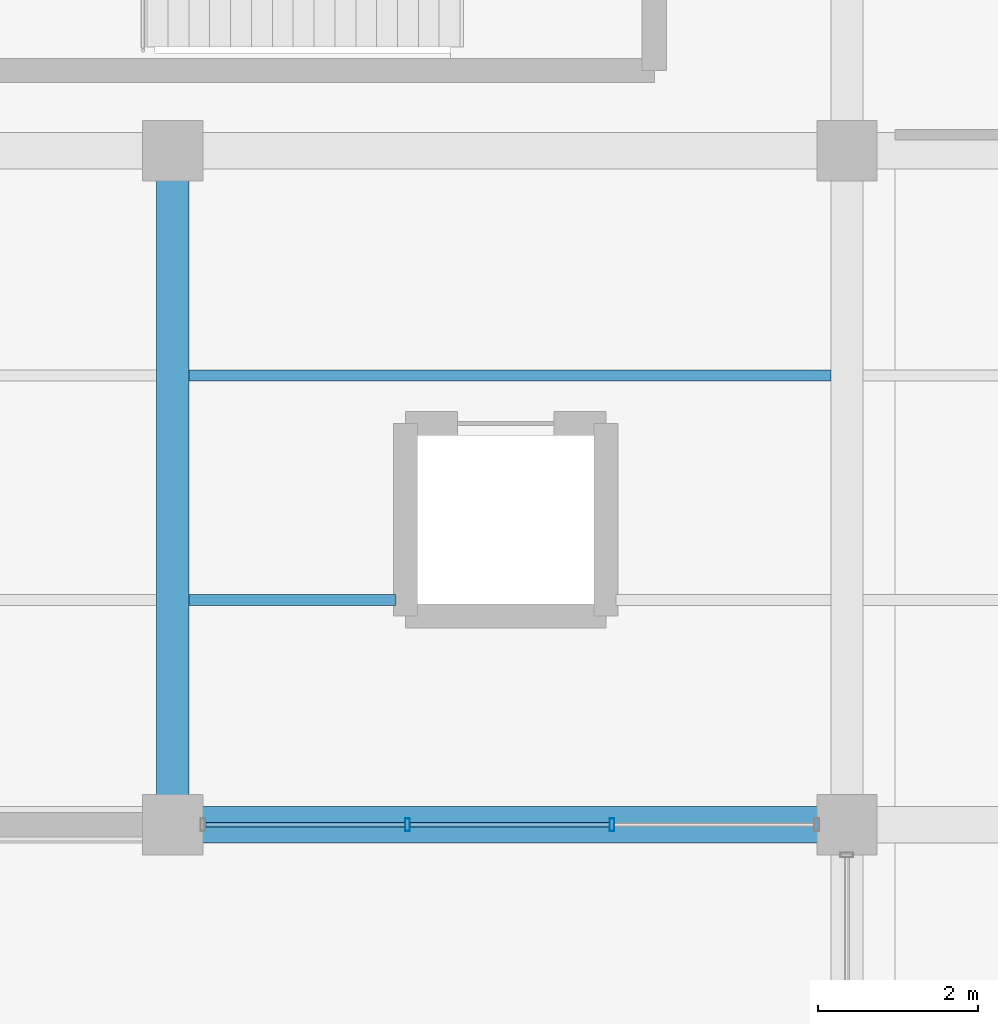
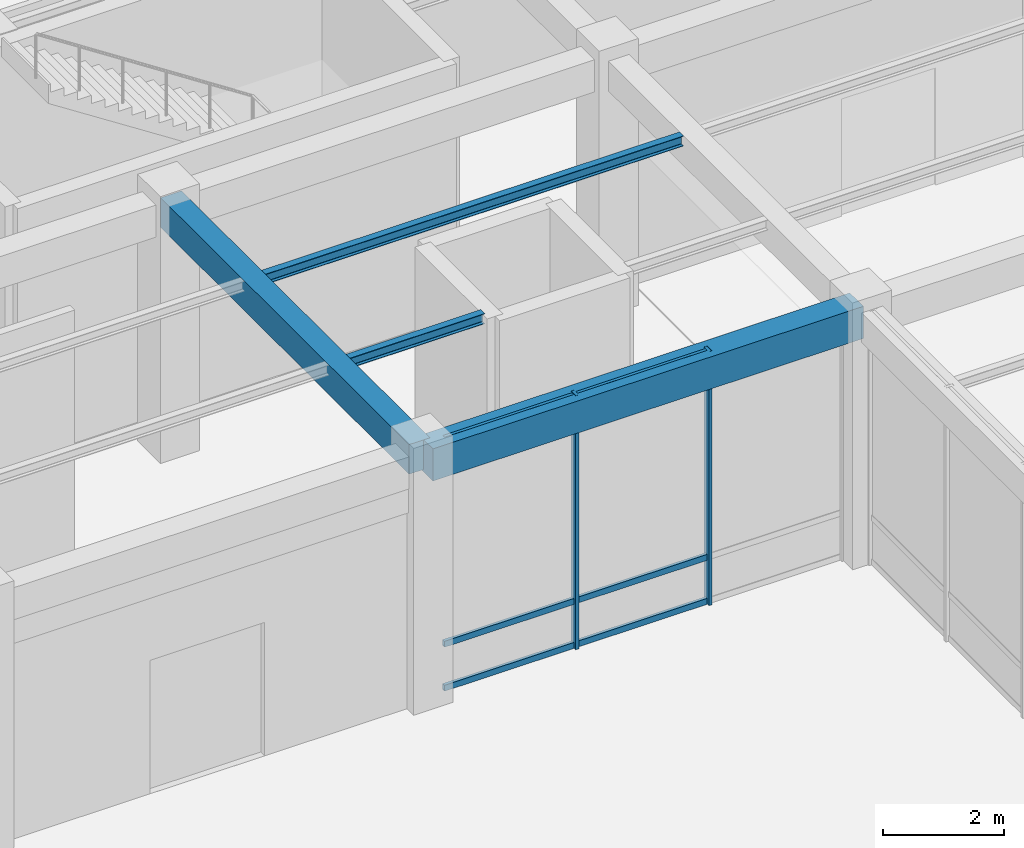
# One storey, part 20 of 157: 8 members, 4 beams, 1 element without a shape of its own.
"""IFC4 building model written with IfcOpenShell, lengths in metres."""

from ifc_helpers import new_model, si_unit, direction, frame, origin, origin_2d, place, context, subcontext, project, spatial, rectangle, hollow_rectangle, i_section, extrude, material, material_profile, profile_set, type_object, element, aggregate, save


model = new_model("IFC4")

# Units and contexts
model_context = context("Model", 3, precision=1e-05, world=origin(), true_north=direction((0.0, 1.0)))
body_context = subcontext(model_context, "Body", "Model", "MODEL_VIEW")
ifc_project = project(units=[si_unit("LENGTHUNIT", "METRE"), si_unit("AREAUNIT", "SQUARE_METRE"), si_unit("VOLUMEUNIT", "CUBIC_METRE"), si_unit("PLANEANGLEUNIT", "RADIAN"), si_unit("MASSUNIT", "GRAM", prefix="KILO"), si_unit("THERMODYNAMICTEMPERATUREUNIT", "KELVIN"), si_unit("POWERUNIT", "WATT")], contexts=[model_context])

# Site, building, storey
site_placement = place(None, origin())
site = spatial("IfcSite", under=ifc_project, at=site_placement, CompositionType="ELEMENT")
building_placement = place(site_placement, origin())
building = spatial("IfcBuilding", under=site, at=building_placement, Name="Darbajah Civic Hall", CompositionType="ELEMENT")
storey_placement = place(building_placement, origin())
storey = spatial("IfcBuildingStorey", under=building, at=storey_placement, Name="L00", CompositionType="ELEMENT", Elevation=0.0)

# Curtain wall, members
ifc_material_1 = material(Name="Anodised Bronze Aluminium and Low-E Glazing", Category="aluminium")
curtain_wall_type = type_object("IfcCurtainWallType", Name="Unitised Curtain Wall CW-98 7600x5150", PredefinedType="USERDEFINED", material=ifc_material_1)
curtain_wall_placement = place(storey_placement, origin())
curtain_wall = element("IfcCurtainWall", 1, at=curtain_wall_placement, inside=storey, type_object=curtain_wall_type, Name="L00 unitised curtain wall CW-V5-L00-S2-B3", ObjectType="UNITISED CURTAIN WALL", PredefinedType="USERDEFINED")
ifc_material_2 = material(Name="Anodised Bronze Aluminium", Category="aluminium")
ifc_material_profile_1 = material_profile(ifc_material_2, hollow_rectangle(XDim=0.06005859375, YDim=0.159912109375, WallThickness=0.00341796875, at=origin_2d()), Name="ALU MULLION 60x160")
ifc_profile_set_1 = profile_set([ifc_material_profile_1], Name="Anodised Bronze Aluminium")
member_type_1 = type_object("IfcMemberType", Name="ALU MULLION 60x160", PredefinedType="MULLION", material=ifc_profile_set_1)
member_1_placement = place(storey_placement, frame((44.92578125, 16.800048828125, 0.0), z_axis=(0.0, 0.0, 1.0), x_axis=(1.0, 0.0, 0.0)))
member_1 = element("IfcMember", 2, at=member_1_placement, type_object=member_type_1, Name="CW-V5-L00-S2-B3 mullion 2", PredefinedType="MULLION", context=body_context, shape_type="SweptSolid", body=[
    extrude(hollow_rectangle(XDim=0.06005859375, YDim=0.159912109375, WallThickness=0.00341796875, at=origin_2d()), origin(), (0.0, 0.0, 1.0), 5.139892578125),
])
member_2_placement = place(storey_placement, frame((47.474365234375, 16.800048828125, 0.0), z_axis=(0.0, 0.0, 1.0), x_axis=(1.0, 0.0, 0.0)))
member_2 = element("IfcMember", 3, at=member_2_placement, type_object=member_type_1, Name="CW-V5-L00-S2-B3 mullion 3", PredefinedType="MULLION", context=body_context, shape_type="SweptSolid", body=[
    extrude(hollow_rectangle(XDim=0.06005859375, YDim=0.159912109375, WallThickness=0.00341796875, at=origin_2d()), origin(), (0.0, 0.0, 1.0), 5.139892578125),
])
ifc_material_profile_2 = material_profile(ifc_material_2, hollow_rectangle(XDim=0.06005859375, YDim=0.1201171875, WallThickness=0.003173828125, at=origin_2d()), Name="ALU TRANSOM 60x120")
ifc_profile_set_2 = profile_set([ifc_material_profile_2], Name="Anodised Bronze Aluminium")
member_type_2 = type_object("IfcMemberType", Name="ALU TRANSOM 60x120", PredefinedType="USERDEFINED", material=ifc_profile_set_2)
member_3_placement = place(storey_placement, frame((42.412109375, 16.800048828125, 0.06005859375), z_axis=(1.0, 0.0, 0.0), x_axis=(0.0, 1.0, 0.0)))
member_3 = element("IfcMember", 4, at=member_3_placement, type_object=member_type_2, Name="CW-V5-L00-S2-B3 transom 1.1", ObjectType="TRANSOM", PredefinedType="USERDEFINED", context=body_context, shape_type="SweptSolid", body=[
    extrude(hollow_rectangle(XDim=0.06005859375, YDim=0.1201171875, WallThickness=0.003173828125, at=origin_2d()), origin(), (0.0, 0.0, 1.0), 2.478515625),
])
member_4_placement = place(storey_placement, frame((42.412109375, 16.800048828125, 0.949951171875), z_axis=(1.0, 0.0, 0.0), x_axis=(0.0, 1.0, 0.0)))
member_4 = element("IfcMember", 5, at=member_4_placement, type_object=member_type_2, Name="CW-V5-L00-S2-B3 transom 1.2", ObjectType="TRANSOM", PredefinedType="USERDEFINED", context=body_context, shape_type="SweptSolid", body=[
    extrude(hollow_rectangle(XDim=0.06005859375, YDim=0.1201171875, WallThickness=0.003173828125, at=origin_2d()), origin(), (0.0, 0.0, 1.0), 2.478515625),
])
member_5_placement = place(storey_placement, frame((42.412109375, 16.800048828125, 5.080078125), z_axis=(1.0, 0.0, 0.0), x_axis=(0.0, 1.0, 0.0)))
member_5 = element("IfcMember", 6, at=member_5_placement, type_object=member_type_2, Name="CW-V5-L00-S2-B3 transom 1.3", ObjectType="TRANSOM", PredefinedType="USERDEFINED", context=body_context, shape_type="SweptSolid", body=[
    extrude(hollow_rectangle(XDim=0.06005859375, YDim=0.1201171875, WallThickness=0.003173828125, at=origin_2d()), origin(), (0.0, 0.0, 1.0), 2.478515625),
])
member_6_placement = place(storey_placement, frame((44.960693359375, 16.800048828125, 0.06005859375), z_axis=(1.0, 0.0, 0.0), x_axis=(0.0, 1.0, 0.0)))
member_6 = element("IfcMember", 7, at=member_6_placement, type_object=member_type_2, Name="CW-V5-L00-S2-B3 transom 2.1", ObjectType="TRANSOM", PredefinedType="USERDEFINED", context=body_context, shape_type="SweptSolid", body=[
    extrude(hollow_rectangle(XDim=0.06005859375, YDim=0.1201171875, WallThickness=0.003173828125, at=origin_2d()), origin(), (0.0, 0.0, 1.0), 2.478515625),
])
member_7_placement = place(storey_placement, frame((44.960693359375, 16.800048828125, 0.949951171875), z_axis=(1.0, 0.0, 0.0), x_axis=(0.0, 1.0, 0.0)))
member_7 = element("IfcMember", 8, at=member_7_placement, type_object=member_type_2, Name="CW-V5-L00-S2-B3 transom 2.2", ObjectType="TRANSOM", PredefinedType="USERDEFINED", context=body_context, shape_type="SweptSolid", body=[
    extrude(hollow_rectangle(XDim=0.06005859375, YDim=0.1201171875, WallThickness=0.003173828125, at=origin_2d()), origin(), (0.0, 0.0, 1.0), 2.478515625),
])
member_8_placement = place(storey_placement, frame((44.960693359375, 16.800048828125, 5.080078125), z_axis=(1.0, 0.0, 0.0), x_axis=(0.0, 1.0, 0.0)))
member_8 = element("IfcMember", 9, at=member_8_placement, type_object=member_type_2, Name="CW-V5-L00-S2-B3 transom 2.3", ObjectType="TRANSOM", PredefinedType="USERDEFINED", context=body_context, shape_type="SweptSolid", body=[
    extrude(hollow_rectangle(XDim=0.06005859375, YDim=0.1201171875, WallThickness=0.003173828125, at=origin_2d()), origin(), (0.0, 0.0, 1.0), 2.478515625),
])
aggregate(curtain_wall, [member_1, member_2, member_3, member_4, member_5, member_6, member_7, member_8])

# Beams
ifc_material_3 = material(Name="Concrete C45/55", Category="concrete")
ifc_material_profile_3 = material_profile(ifc_material_3, rectangle(XDim=0.39990234375, YDim=0.60009765625, at=origin_2d()), Name="RC BEAM 400x600")
ifc_profile_set_3 = profile_set([ifc_material_profile_3], Name="Concrete C45/55")
beam_type_1 = type_object("IfcBeamType", Name="RC BEAM 400x600", PredefinedType="BEAM", material=ifc_profile_set_3)
beam_1_placement = place(storey_placement, frame((42.0, 16.8798828125, 4.840087890625), z_axis=(0.0, 1.0, 0.0), x_axis=(-1.0, 0.0, 0.0)))
element("IfcBeam", 10, at=beam_1_placement, inside=storey, type_object=beam_type_1, Name="L00 beam BM-4060", PredefinedType="BEAM", context=body_context, shape_type="SweptSolid", body=[
    extrude(rectangle(XDim=0.39990234375, YDim=0.60009765625, at=origin_2d()), origin(), (0.0, 0.0, 1.0), 8.240234375),
])
ifc_material_profile_4 = material_profile(ifc_material_3, rectangle(XDim=0.449951171875, YDim=0.64990234375, at=origin_2d()), Name="RC BEAM 450x650")
ifc_profile_set_4 = profile_set([ifc_material_profile_4], Name="Concrete C45/55")
beam_type_2 = type_object("IfcBeamType", Name="RC BEAM 450x650", PredefinedType="BEAM", material=ifc_profile_set_4)
beam_2_placement = place(storey_placement, frame((42.080078125, 16.800048828125, 4.81494140625), z_axis=(1.0, 0.0, 0.0), x_axis=(0.0, 1.0, 0.0)))
element("IfcBeam", 11, at=beam_2_placement, inside=storey, type_object=beam_type_2, Name="L00 beam BM-4565", PredefinedType="BEAM", context=body_context, shape_type="SweptSolid", body=[
    extrude(rectangle(XDim=0.449951171875, YDim=0.64990234375, at=origin_2d()), origin(), (0.0, 0.0, 1.0), 8.239990234375),
])
ifc_material_4 = material(Name="Steel S355JR", Category="steel")
ifc_material_profile_5 = material_profile(ifc_material_4, i_section(OverallWidth=0.1337890625, OverallDepth=0.206787109375, WebThickness=0.00634765625, FlangeThickness=0.009521484375, FilletRadius=0.007568359375, at=origin_2d()), Name="UB 203x133x30")
ifc_profile_set_5 = profile_set([ifc_material_profile_5], Name="Steel S355JR")
beam_type_3 = type_object("IfcBeamType", Name="UB 203x133x30", PredefinedType="JOIST", material=ifc_profile_set_5)
beam_3_placement = place(storey_placement, frame((42.199951171875, 19.60009765625, 5.03662109375), z_axis=(1.0, 0.0, 0.0), x_axis=(0.0, 1.0, 0.0)))
element("IfcBeam", 12, at=beam_3_placement, inside=storey, type_object=beam_type_3, Name="L00 beam SJ-203", PredefinedType="JOIST", context=body_context, shape_type="SweptSolid", body=[
    extrude(i_section(OverallWidth=0.1337890625, OverallDepth=0.206787109375, WebThickness=0.00634765625, FlangeThickness=0.009521484375, FilletRadius=0.007568359375, at=origin_2d()), origin(), (0.0, 0.0, 1.0), 2.580078125),
])
beam_4_placement = place(storey_placement, frame((42.199951171875, 22.39990234375, 5.03662109375), z_axis=(1.0, 0.0, 0.0), x_axis=(0.0, 1.0, 0.0)))
element("IfcBeam", 13, at=beam_4_placement, inside=storey, type_object=beam_type_3, Name="L00 beam SJ-203", PredefinedType="JOIST", context=body_context, shape_type="SweptSolid", body=[
    extrude(i_section(OverallWidth=0.1337890625, OverallDepth=0.206787109375, WebThickness=0.00634765625, FlangeThickness=0.009521484375, FilletRadius=0.007568359375, at=origin_2d()), origin(), (0.0, 0.0, 1.0), 8.0),
])

save(model, "model.ifc")
